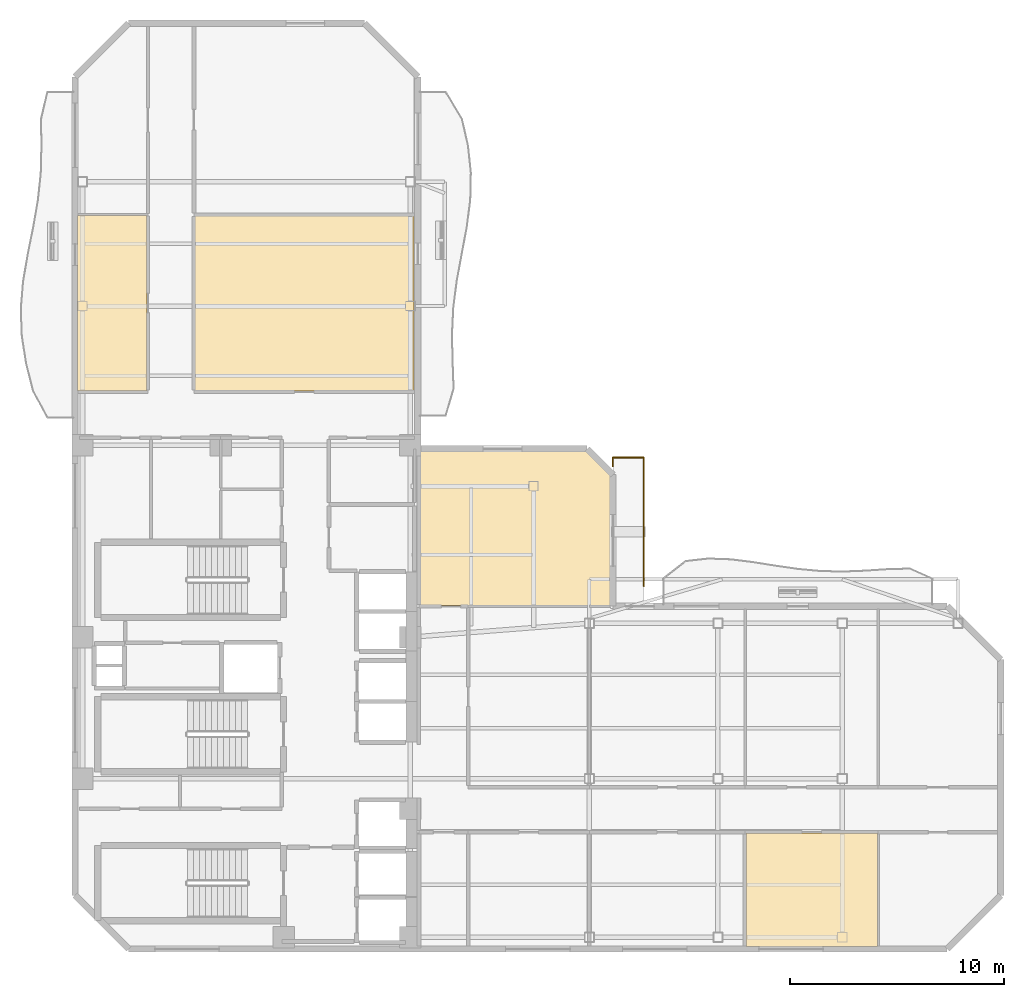
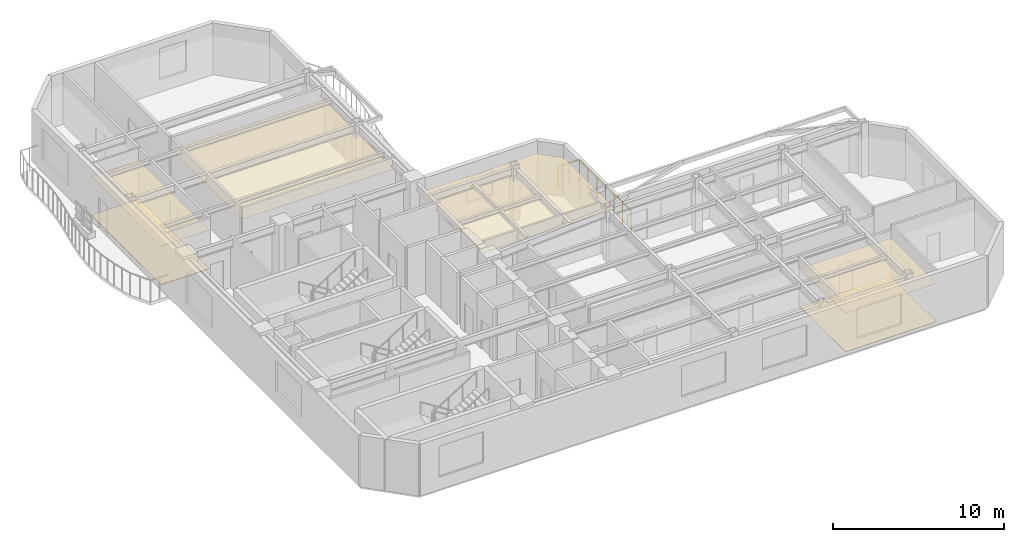
# One storey, part 8 of 9: 6 coverings, 3 railings.
"""IFC4 building model written with IfcOpenShell, lengths in metres."""

from ifc_helpers import new_model, si_unit, direction, frame, origin, origin_2d, place, context, subcontext, project, spatial, polyline, rectangle, outline, extrude, material, layer, layer_set, type_object, element, save


model = new_model("IFC4")

# Units and contexts
model_context = context("Model", 3, precision=1e-05, world=origin(), true_north=direction((0.0, 1.0)))
body_context = subcontext(model_context, "Body", "Model", "MODEL_VIEW")
ifc_project = project(units=[si_unit("LENGTHUNIT", "METRE"), si_unit("AREAUNIT", "SQUARE_METRE"), si_unit("VOLUMEUNIT", "CUBIC_METRE"), si_unit("PLANEANGLEUNIT", "RADIAN"), si_unit("MASSUNIT", "GRAM", prefix="KILO")], contexts=[model_context])

# Site, building, storey
site_placement = place(None, origin())
site = spatial("IfcSite", under=ifc_project, at=site_placement, CompositionType="ELEMENT")
building_placement = place(site_placement, origin())
building = spatial("IfcBuilding", under=site, at=building_placement, Name="Mawjaban Terraces University", CompositionType="ELEMENT")
storey_placement = place(building_placement, frame((0.0, 0.0, 195.300048828125)))
storey = spatial("IfcBuildingStorey", under=building, at=storey_placement, Name="L47", CompositionType="ELEMENT", Elevation=195.300048828125)

# Coverings
ifc_material_1 = material(Name="Acoustic mineral fibre ceiling tile", Category="masonry")
ifc_layer_1 = layer(ifc_material_1, 0.02001953125)
ifc_layer_set_1 = layer_set([ifc_layer_1], Name="Acoustic mineral fibre ceiling tile")
covering_type_1 = type_object("IfcCoveringType", Name="AcousticMineralCeiling_20", PredefinedType="CEILING", material=ifc_layer_set_1)
covering_1_placement = place(storey_placement, frame((0.0, 0.0, 2.75)))
element("IfcCovering", 1, at=covering_1_placement, inside=storey, type_object=covering_type_1, Name="L47 Reading Salon 6 Acoustic Ceiling", PredefinedType="CEILING", context=body_context, shape_type="SweptSolid", body=[
    extrude(outline(polyline([(53.302001953125, 0.114990234375), (59.455078125, 0.114990234375), (59.455078125, 5.419921875), (53.302001953125, 5.419921875), (53.302001953125, 0.114990234375)])), origin(), (0.0, 0.0, 1.0), 0.02001953125),
])
covering_2_placement = place(storey_placement, frame((0.0, 0.0, 2.75)))
element("IfcCovering", 2, at=covering_2_placement, inside=storey, type_object=covering_type_1, Name="L47 Seminar Room 10 Acoustic Ceiling", PredefinedType="CEILING", context=body_context, shape_type="SweptSolid", body=[
    extrude(outline(polyline([(22.114990234375, 34.22607421875), (22.114990234375, 26.030029296875), (25.3701171875, 26.030029296875), (25.3701171875, 34.22607421875), (22.114990234375, 34.22607421875)])), origin(), (0.0, 0.0, 1.0), 0.02001953125),
])
covering_3_placement = place(storey_placement, frame((0.0, 0.0, 2.75)))
element("IfcCovering", 3, at=covering_3_placement, inside=storey, type_object=covering_type_1, Name="L47 Faculty Office 11 Acoustic Ceiling", PredefinedType="CEILING", context=body_context, shape_type="SweptSolid", body=[
    extrude(outline(polyline([(37.820068359375, 26.030029296875), (37.820068359375, 34.22607421875), (27.580078125, 34.22607421875), (27.580078125, 26.030029296875), (37.820068359375, 26.030029296875)])), origin(), (0.0, 0.0, 1.0), 0.02001953125),
])
covering_4_placement = place(storey_placement, frame((0.0, 0.0, 2.75)))
element("IfcCovering", 4, at=covering_4_placement, inside=storey, type_object=covering_type_1, Name="L47 Terrace Collaborative Study Room Acoustic Ceiling", PredefinedType="CEILING", context=body_context, shape_type="SweptSolid", body=[
    extrude(outline(polyline([(46.985107421875, 16.030029296875), (46.985107421875, 22.087890625), (45.85302734375, 23.219970703125), (38.080078125, 23.219970703125), (38.080078125, 16.030029296875), (46.985107421875, 16.030029296875)])), origin(), (0.0, 0.0, 1.0), 0.02001953125),
])

# Railings
ifc_material_2 = material(Name="Galvanised powder-coated steel S355", Category="steel")
railing_type = type_object("IfcRailingType", Name="BalconyBalustrade_1600", PredefinedType="BALUSTRADE", material=ifc_material_2)
railing_1_placement = place(storey_placement, frame((48.550048828125, 16.927978515625, 0.0)))
element("IfcRailing", 5, at=railing_1_placement, inside=storey, type_object=railing_type, Name="L47 Terrace Guardrail TER-L47-CLIMB.1", PredefinedType="BALUSTRADE", context=body_context, shape_type="SweptSolid", body=[
    extrude(rectangle(XDim=0.048095703125, YDim=0.048095703125, at=origin_2d()), frame((0.0, 0.0, 1.576171875), z_axis=(0.0, 1.0, 0.0), x_axis=(-1.0, 0.0, 0.0)), (0.0, 0.0, 1.0), 6.007080078125),
    extrude(rectangle(XDim=0.0419921875, YDim=0.0419921875, at=origin_2d()), origin(), (0.0, 0.0, 1.0), 1.552001953125),
    extrude(rectangle(XDim=0.0419921875, YDim=0.0419921875, at=origin_2d()), frame((0.0, 1.001220703125, 0.0)), (0.0, 0.0, 1.0), 1.552001953125),
    extrude(rectangle(XDim=0.0419921875, YDim=0.0419921875, at=origin_2d()), frame((0.0, 2.00244140625, 0.0)), (0.0, 0.0, 1.0), 1.552001953125),
    extrude(rectangle(XDim=0.0419921875, YDim=0.0419921875, at=origin_2d()), frame((0.0, 3.00341796875, 0.0)), (0.0, 0.0, 1.0), 1.552001953125),
    extrude(rectangle(XDim=0.0419921875, YDim=0.0419921875, at=origin_2d()), frame((0.0, 4.004638671875, 0.0)), (0.0, 0.0, 1.0), 1.552001953125),
    extrude(rectangle(XDim=0.0419921875, YDim=0.0419921875, at=origin_2d()), frame((0.0, 5.005859375, 0.0)), (0.0, 0.0, 1.0), 1.552001953125),
    extrude(rectangle(XDim=0.0419921875, YDim=0.0419921875, at=origin_2d()), frame((0.0, 6.007080078125, 0.0)), (0.0, 0.0, 1.0), 1.552001953125),
])
railing_2_placement = place(storey_placement, frame((48.550048828125, 22.93505859375, 0.0)))
element("IfcRailing", 6, at=railing_2_placement, inside=storey, type_object=railing_type, Name="L47 Terrace Guardrail TER-L47-CLIMB.2", PredefinedType="BALUSTRADE", context=body_context, shape_type="SweptSolid", body=[
    extrude(rectangle(XDim=0.048095703125, YDim=0.048095703125, at=origin_2d()), frame((0.0, 0.0, 1.576171875), z_axis=(-1.0, 0.0, 0.0), x_axis=(0.0, -1.0, 0.0)), (0.0, 0.0, 1.0), 1.449951171875),
    extrude(rectangle(XDim=0.0419921875, YDim=0.0419921875, at=origin_2d()), origin(), (0.0, 0.0, 1.0), 1.552001953125),
    extrude(rectangle(XDim=0.0419921875, YDim=0.0419921875, at=origin_2d()), frame((-0.72509765625, 0.0, 0.0)), (0.0, 0.0, 1.0), 1.552001953125),
    extrude(rectangle(XDim=0.0419921875, YDim=0.0419921875, at=origin_2d()), frame((-1.449951171875, 0.0, 0.0)), (0.0, 0.0, 1.0), 1.552001953125),
])
railing_3_placement = place(storey_placement, frame((47.10009765625, 22.93505859375, 0.0)))
element("IfcRailing", 7, at=railing_3_placement, inside=storey, type_object=railing_type, Name="L47 Terrace Guardrail TER-L47-CLIMB.3", PredefinedType="BALUSTRADE", context=body_context, shape_type="SweptSolid", body=[
    extrude(rectangle(XDim=0.048095703125, YDim=0.048095703125, at=origin_2d()), frame((0.0, 0.0, 1.576171875), z_axis=(0.0, -1.0, 0.0), x_axis=(1.0, 0.0, 0.0)), (0.0, 0.0, 1.0), 0.404052734375),
    extrude(rectangle(XDim=0.0419921875, YDim=0.0419921875, at=origin_2d()), origin(), (0.0, 0.0, 1.0), 1.552001953125),
    extrude(rectangle(XDim=0.0419921875, YDim=0.0419921875, at=origin_2d()), frame((0.0, -0.404052734375, 0.0)), (0.0, 0.0, 1.0), 1.552001953125),
])

# Coverings
ifc_material_3 = material(Name="Polished Hijazi granite terrazzo flooring", Category="masonry")
ifc_layer_2 = layer(ifc_material_3, 0.02490234375)
ifc_layer_set_2 = layer_set([ifc_layer_2], Name="Polished Hijazi granite terrazzo flooring")
covering_type_2 = type_object("IfcCoveringType", Name="TerrazzoConcourseFlooring_25", PredefinedType="FLOORING", material=ifc_layer_set_2)
covering_5_placement = place(storey_placement, origin())
element("IfcCovering", 8, at=covering_5_placement, inside=storey, type_object=covering_type_2, Name="L47 Reading Salon 6 Terrazzo Flooring", PredefinedType="FLOORING", context=body_context, shape_type="SweptSolid", body=[
    extrude(outline(polyline([(53.302001953125, 0.114990234375), (59.455078125, 0.114990234375), (59.455078125, 5.419921875), (53.302001953125, 5.419921875), (53.302001953125, 0.114990234375)])), origin(), (0.0, 0.0, 1.0), 0.02490234375),
])
covering_6_placement = place(storey_placement, origin())
element("IfcCovering", 9, at=covering_6_placement, inside=storey, type_object=covering_type_2, Name="L47 Seminar Room 10 Terrazzo Flooring", PredefinedType="FLOORING", context=body_context, shape_type="SweptSolid", body=[
    extrude(outline(polyline([(22.114990234375, 34.22607421875), (22.114990234375, 26.030029296875), (25.3701171875, 26.030029296875), (25.3701171875, 34.22607421875), (22.114990234375, 34.22607421875)])), origin(), (0.0, 0.0, 1.0), 0.02490234375),
])

save(model, "model.ifc")
